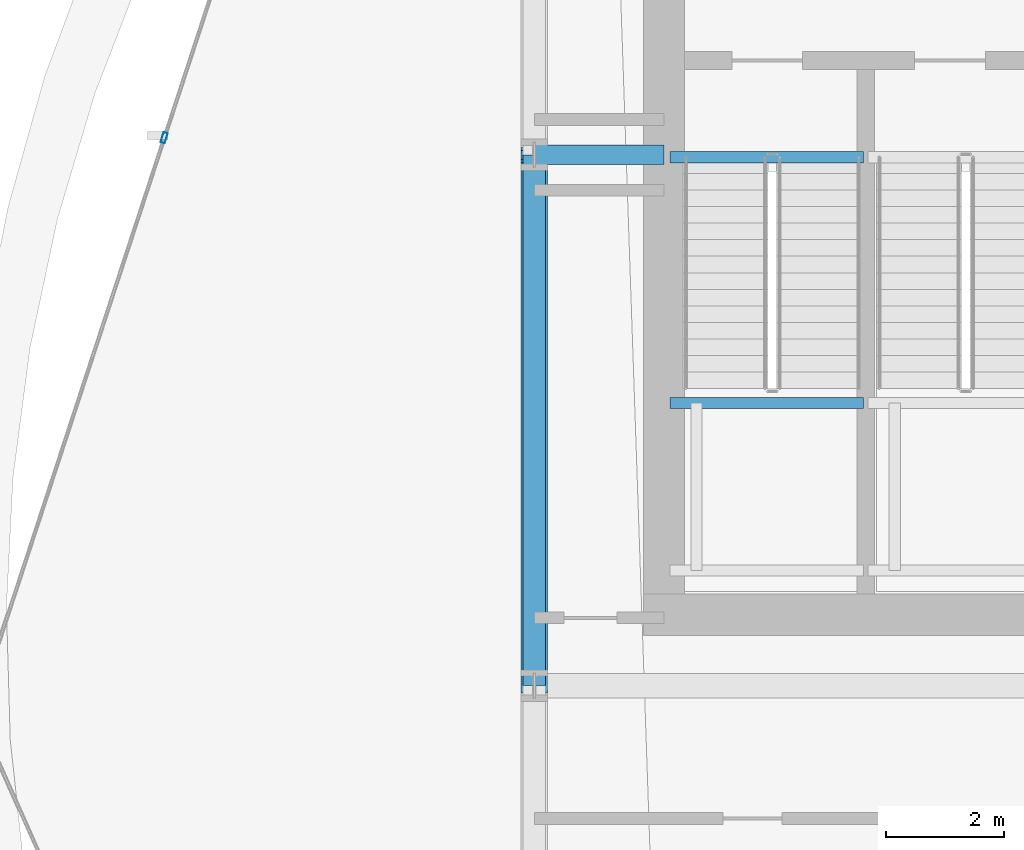
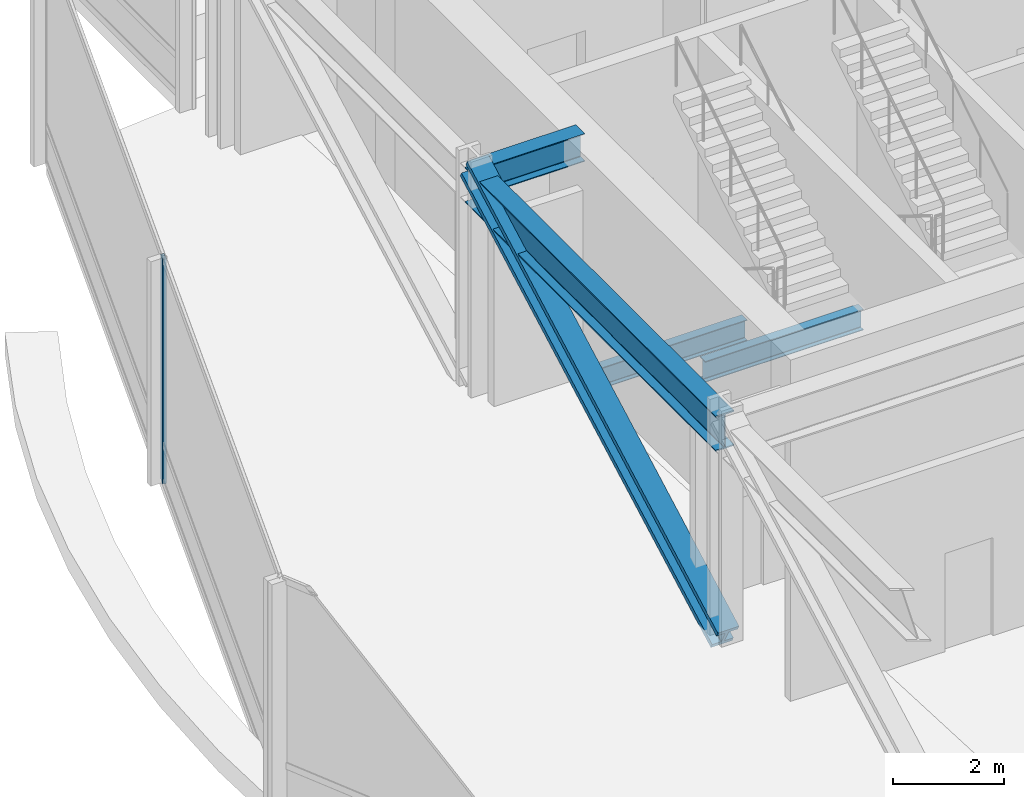
# One storey, part 16 of 37: 4 beams, 2 members, 1 element without a shape of its own.
"""IFC4 building model written with IfcOpenShell, lengths in metres."""

import ifcopenshell
import ifcopenshell.guid

model = None  # the IFC model being written
_history = None  # IfcOwnerHistory: only IFC2X3 demands one
_inside = {}  # id of a spatial element -> (the spatial element, [elements in it])
_under = {}  # id of a project, library or spatial element -> (it, [spatial elements below it])
_declared = {}  # id of a project -> (the project, [libraries it declares])
_typed = {}  # id of a type object -> (the type object, [elements of that type])
_made_of = {}  # id of a material, layer set ... -> (it, [elements and type objects made of it])


def new_model(schema):
    """Start an empty IFC model of exactly this schema.

    Asked for "IFC4X3", IfcOpenShell would pick the latest addendum, in which some entities
    have other attributes; the version numbers below select the first issue.
    IFC2X3 requires an IfcOwnerHistory on every rooted entity: one is made here for all.
    """
    global model, _history
    if schema == "IFC4X3":
        model = ifcopenshell.file(schema_version=(4, 3, 0, 0))
    else:
        model = ifcopenshell.file(schema=schema)
    _inside.clear()
    _under.clear()
    _declared.clear()
    _typed.clear()
    _made_of.clear()
    _history = None
    if model.schema == "IFC2X3":
        org = make("IfcOrganization", Name="unknown")
        user = make(
            "IfcPersonAndOrganization",
            ThePerson=make("IfcPerson", FamilyName="unknown"),
            TheOrganization=org,
        )
        app = make(
            "IfcApplication",
            ApplicationDeveloper=org,
            Version="unknown",
            ApplicationFullName="unknown",
            ApplicationIdentifier="unknown",
        )
        _history = make(
            "IfcOwnerHistory",
            OwningUser=user,
            OwningApplication=app,
            ChangeAction="ADDED",
            CreationDate=0,
        )
    return model


def make(cls, **values):
    """One entity of the class cls with the attributes given. An attribute that is None is left unset."""
    return model.create_entity(
        cls, **{name: value for name, value in values.items() if value is not None}
    )


def rooted(cls, **values):
    """An entity with a GlobalId (a new one), such as an element, a storey or a relation."""
    return make(cls, GlobalId=ifcopenshell.guid.new(), OwnerHistory=_history, **values)


def si_unit(unit_type, name, prefix=None):
    """IfcSIUnit, for example si_unit("LENGTHUNIT", "METRE", prefix="MILLI")."""
    return make("IfcSIUnit", UnitType=unit_type, Prefix=prefix, Name=name)


def assignment(units):
    """IfcUnitAssignment: the units of a project."""
    return None if units is None else make("IfcUnitAssignment", Units=units)


def point(xyz):
    """IfcCartesianPoint."""
    return None if xyz is None else make("IfcCartesianPoint", Coordinates=xyz)


def direction(xyz):
    """IfcDirection."""
    return None if xyz is None else make("IfcDirection", DirectionRatios=xyz)


def frame(location, z_axis=None, x_axis=None):
    """IfcAxis2Placement3D, a coordinate frame: its origin and axes. An axis left out is left unset."""
    return make(
        "IfcAxis2Placement3D",
        Location=point(location),
        Axis=direction(z_axis),
        RefDirection=direction(x_axis),
    )


def frame_2d(location, x_axis=None):
    """IfcAxis2Placement2D, a coordinate frame in the plane: its origin and x axis."""
    return make(
        "IfcAxis2Placement2D", Location=point(location), RefDirection=direction(x_axis)
    )


def origin():
    """The frame at (0, 0, 0) with its axes left unset."""
    return frame((0.0, 0.0, 0.0))


def origin_2d():
    """The frame at (0, 0) in the plane with its x axis left unset."""
    return frame_2d((0.0, 0.0))


def place(relative_to, where):
    """IfcLocalPlacement: puts the frame where relative to a parent placement (None: the world)."""
    return make(
        "IfcLocalPlacement", PlacementRelTo=relative_to, RelativePlacement=where
    )


def context(
    kind, dimensions, precision=None, world=None, true_north=None, identifier=None
):
    """IfcGeometricRepresentationContext, for example the 3D "Model" context."""
    return make(
        "IfcGeometricRepresentationContext",
        ContextIdentifier=identifier,
        ContextType=kind,
        CoordinateSpaceDimension=dimensions,
        Precision=precision,
        WorldCoordinateSystem=world,
        TrueNorth=true_north,
    )


def subcontext(parent, identifier, kind, view, scale=None):
    """IfcGeometricRepresentationSubContext, for example "Body" below "Model"."""
    return make(
        "IfcGeometricRepresentationSubContext",
        ContextIdentifier=identifier,
        ContextType=kind,
        ParentContext=parent,
        TargetScale=scale,
        TargetView=view,
    )


def project(units=None, contexts=None):
    """IfcProject with its units and contexts."""
    return rooted(
        "IfcProject",
        Name="project",
        RepresentationContexts=contexts,
        UnitsInContext=assignment(units),
    )


def spatial(cls, under=None, at=None, **own):
    """A site, building, storey or space (cls), placed at a placement, below another one or the project."""
    s = rooted(cls, ObjectPlacement=at, **own)
    if under is not None:
        _under.setdefault(under.id(), (under, []))[1].append(s)
    return s


def profile(cls, at=None, kind="AREA", **sizes):
    """A parametric profile (cls). Its sizes go by their IFC names, for example OverallWidth=200.0."""
    return make(cls, ProfileType=kind, Position=at, **sizes)


def hollow_rectangle(**sizes):
    """IfcRectangleHollowProfileDef."""
    return profile("IfcRectangleHollowProfileDef", **sizes)


def i_section(**sizes):
    """IfcIShapeProfileDef."""
    return profile("IfcIShapeProfileDef", **sizes)


def extrude(swept, where, along, depth):
    """IfcExtrudedAreaSolid: the profile swept, set in the frame where, extruded along a direction by depth."""
    return make(
        "IfcExtrudedAreaSolid",
        SweptArea=swept,
        Position=where,
        ExtrudedDirection=direction(along),
        Depth=depth,
    )


def shape(context_of_items, identifier, shape_type, items):
    """IfcShapeRepresentation: the items that make up one representation, for example the "Body"."""
    return make(
        "IfcShapeRepresentation",
        ContextOfItems=context_of_items,
        RepresentationIdentifier=identifier,
        RepresentationType=shape_type,
        Items=items,
    )


def material(Name=None, Category=None):
    """IfcMaterial."""
    return make("IfcMaterial", Name=Name, Category=Category)


def layer(
    of_material, thickness, ventilated=None, Name=None, Category=None, Priority=None
):
    """IfcMaterialLayer: one layer of a wall or slab, of a material (None: an air gap)."""
    return make(
        "IfcMaterialLayer",
        Material=of_material,
        LayerThickness=thickness,
        IsVentilated=ventilated,
        Name=Name,
        Category=Category,
        Priority=Priority,
    )


def layer_set(layers, Name=None):
    """IfcMaterialLayerSet."""
    return make("IfcMaterialLayerSet", MaterialLayers=layers, LayerSetName=Name)


def material_profile(
    of_material, cross_section, Name=None, Category=None, Priority=None
):
    """IfcMaterialProfile: a cross section and its material."""
    return make(
        "IfcMaterialProfile",
        Name=Name,
        Material=of_material,
        Profile=cross_section,
        Priority=Priority,
        Category=Category,
    )


def profile_set(profiles, Name=None, composite=None):
    """IfcMaterialProfileSet."""
    return make(
        "IfcMaterialProfileSet",
        Name=Name,
        MaterialProfiles=profiles,
        CompositeProfile=composite,
    )


def made_of(thing, what):
    """Note that an element or type object is made of a material, layer set ...; save() writes the relation."""
    if what is not None:
        _made_of.setdefault(what.id(), (what, []))[1].append(thing)
    return thing


def type_object(cls, material=None, **own):
    """A type object (cls), such as IfcWallType, which elements share."""
    return made_of(rooted(cls, **own), material)


def element(
    cls,
    number,
    at=None,
    inside=None,
    cuts=None,
    type_object=None,
    material=None,
    context=None,
    identifier="Body",
    shape_type=None,
    held_by="IfcProductDefinitionShape",
    body=None,
    shapes=None,
    **own,
):
    """One element of the class cls, such as IfcWall. Its Tag is "e" and its number.

    at: its placement. inside: the storey or other place that contains it. cuts: it is an
    opening in that element (IfcRelVoidsElement). A single representation is given by context,
    identifier, shape_type and body (its items); several are given by shapes. held_by: the class
    of the entity that holds the representations. save() writes the other relations.
    """
    e = rooted(cls, Tag="e%d" % number, ObjectPlacement=at, **own)
    if body is not None:
        shapes = [shape(context, identifier, shape_type, body)]
    if shapes is not None:
        e.Representation = make(held_by, Representations=shapes)
    if inside is not None:
        _inside.setdefault(inside.id(), (inside, []))[1].append(e)
    if cuts is not None:
        rooted(
            "IfcRelVoidsElement", RelatingBuildingElement=cuts, RelatedOpeningElement=e
        )
    if type_object is not None:
        _typed.setdefault(type_object.id(), (type_object, []))[1].append(e)
    return made_of(e, material)


def aggregate(whole, parts):
    """IfcRelAggregates: a whole, such as a stair, and the parts it consists of."""
    return rooted("IfcRelAggregates", RelatingObject=whole, RelatedObjects=parts)


def save(model, path):
    """Write the relations noted so far, then the file.

    IfcRelAggregates (storeys below a building ...), IfcRelContainedInSpatialStructure (elements
    in a storey), IfcRelDefinesByType, IfcRelAssociatesMaterial and IfcRelDeclares: one each for
    every whole, place, type object, material and project.
    """
    for whole, parts in _under.values():
        aggregate(whole, parts)
    for where, things in _inside.values():
        rooted(
            "IfcRelContainedInSpatialStructure",
            RelatedElements=things,
            RelatingStructure=where,
        )
    for kind, things in _typed.values():
        rooted("IfcRelDefinesByType", RelatedObjects=things, RelatingType=kind)
    for what, things in _made_of.values():
        rooted("IfcRelAssociatesMaterial", RelatedObjects=things, RelatingMaterial=what)
    for by, libraries in _declared.values():
        rooted("IfcRelDeclares", RelatingContext=by, RelatedDefinitions=libraries)
    model.write(path)


model = new_model("IFC4")

# Units and contexts
model_context = context("Model", 3, precision=1e-05, world=origin(), true_north=direction((0.0, 1.0)))
body_context = subcontext(model_context, "Body", "Model", "MODEL_VIEW")
ifc_project = project(units=[si_unit("LENGTHUNIT", "METRE"), si_unit("AREAUNIT", "SQUARE_METRE"), si_unit("VOLUMEUNIT", "CUBIC_METRE"), si_unit("PLANEANGLEUNIT", "RADIAN"), si_unit("MASSUNIT", "GRAM", prefix="KILO")], contexts=[model_context])

# Site, building, storey
site_placement = place(None, origin())
site = spatial("IfcSite", under=ifc_project, at=site_placement, CompositionType="ELEMENT")
building_placement = place(site_placement, origin())
building = spatial("IfcBuilding", under=site, at=building_placement, Name="Solvaryn Broadcast Tower", CompositionType="ELEMENT")
storey_placement = place(building_placement, frame((0.0, 0.0, 30.800048828125)))
storey = spatial("IfcBuildingStorey", under=building, at=storey_placement, Name="L06", CompositionType="ELEMENT", Elevation=30.800048828125)

# Beams
ifc_material_1 = material(Name="Steel ASTM A992 Grade 50", Category="steel")
ifc_material_profile_1 = material_profile(ifc_material_1, i_section(OverallWidth=0.323974609375, OverallDepth=0.611083984375, WebThickness=0.0126953125, FlangeThickness=0.01904296875, FilletRadius=0.014892578125, at=origin_2d()))
ifc_profile_set_1 = profile_set([ifc_material_profile_1], Name="Steel ASTM A992 Grade 50")
beam_type_1 = type_object("IfcBeamType", Name="BM-B1-W24X104", PredefinedType="BEAM", material=ifc_profile_set_1)
beam_1_placement = place(storey_placement, frame((9.0, 36.0, 4.614501953125), z_axis=(1.0, 0.0, 0.0), x_axis=(0.0, 1.0, 0.0)))
element("IfcBeam", 1, at=beam_1_placement, inside=storey, type_object=beam_type_1, Name="L06 Core Tie Beam CTW1", PredefinedType="BEAM", context=body_context, shape_type="SweptSolid", body=[
    extrude(i_section(OverallWidth=0.323974609375, OverallDepth=0.611083984375, WebThickness=0.0126953125, FlangeThickness=0.01904296875, FilletRadius=0.014892578125, at=origin_2d()), origin(), (0.0, 0.0, 1.0), 2.199951171875),
])
ifc_material_2 = material(Name="Steel ASTM A992 Grade 50", Category="steel")
ifc_material_profile_2 = material_profile(ifc_material_2, i_section(OverallWidth=0.18994140625, OverallDepth=0.45703125, WebThickness=0.009033203125, FlangeThickness=0.014404296875, FilletRadius=0.011962890625, at=origin_2d()))
ifc_profile_set_2 = profile_set([ifc_material_profile_2], Name="Steel ASTM A992 Grade 50")
beam_type_2 = type_object("IfcBeamType", Name="BM-B4-W18X50", PredefinedType="BEAM", material=ifc_profile_set_2)
for number, where, z_axis, x_axis, name in (
    (2, (11.300048828125, 35.9599609375, -0.588623046875), (1.0, 0.0, 0.0), (0.0, 1.0, 0.0), "L06 ST1 Stair Well Trimmer Beam"),
    (3, (11.300048828125, 31.7900390625, 2.17138671875), (1.0, 0.0, 0.0), (0.0, 1.0, 0.0), "L06 ST1 Landing Support Beam 1B"),
):
    element("IfcBeam", number, at=place(storey_placement, frame(where, z_axis=z_axis, x_axis=x_axis)), inside=storey, type_object=beam_type_2, Name=name, PredefinedType="BEAM", context=body_context, shape_type="SweptSolid", body=[
        extrude(i_section(OverallWidth=0.18994140625, OverallDepth=0.45703125, WebThickness=0.009033203125, FlangeThickness=0.014404296875, FilletRadius=0.011962890625, at=origin_2d()), origin(), (0.0, 0.0, 1.0), 3.280029296875),
    ])
ifc_material_3 = material(Name="Steel ASTM A992 Grade 50", Category="steel")
ifc_material_profile_3 = material_profile(ifc_material_3, i_section(OverallWidth=0.381103515625, OverallDepth=0.77294921875, WebThickness=0.0166015625, FlangeThickness=0.027099609375, FilletRadius=0.01806640625, at=origin_2d()))
ifc_profile_set_3 = profile_set([ifc_material_profile_3], Name="Steel ASTM A992 Grade 50")
beam_type_3 = type_object("IfcBeamType", Name="BM-SP1-W30X173", PredefinedType="USERDEFINED", material=ifc_profile_set_3)
beam_2_placement = place(storey_placement, frame((9.0, 27.0, 4.533447265625), z_axis=(0.0, 1.0, 0.0), x_axis=(-1.0, 0.0, 0.0)))
element("IfcBeam", 4, at=beam_2_placement, inside=storey, type_object=beam_type_3, Name="L06 Spandrel Beam Y (27-36 @ X=9)", ObjectType="SPANDREL", PredefinedType="USERDEFINED", context=body_context, shape_type="SweptSolid", body=[
    extrude(i_section(OverallWidth=0.381103515625, OverallDepth=0.77294921875, WebThickness=0.0166015625, FlangeThickness=0.027099609375, FilletRadius=0.01806640625, at=origin_2d()), origin(), (0.0, 0.0, 1.0), 9.0),
])

# Curtain wall, member
ifc_material_4 = material(Name="Aluminium and Terracotta Unitised Curtain Wall", Category="masonry")
ifc_layer = layer(ifc_material_4, 0.199951171875)
ifc_layer_set = layer_set([ifc_layer], Name="CW-SYS2-LOWMID")
curtain_wall_type = type_object("IfcCurtainWallType", Name="CW-SYS2-LOWMID", PredefinedType="NOTDEFINED", material=ifc_layer_set)
curtain_wall_placement = place(storey_placement, origin())
curtain_wall = element("IfcCurtainWall", 5, at=curtain_wall_placement, inside=storey, type_object=curtain_wall_type, Name="L06 Curtain Wall DR1", PredefinedType="NOTDEFINED")
ifc_material_5 = material(Name="Anodised Aluminium 6063-T6", Category="aluminium")
ifc_material_profile_4 = material_profile(ifc_material_5, hollow_rectangle(XDim=0.074951171875, YDim=0.179931640625, WallThickness=0.00390625, InnerFilletRadius=0.00390625, OuterFilletRadius=0.008056640625, at=origin_2d()))
ifc_profile_set_4 = profile_set([ifc_material_profile_4], Name="Anodised Aluminium 6063-T6")
member_type_1 = type_object("IfcMemberType", Name="CW-MUL-180", PredefinedType="MULLION", material=ifc_profile_set_4)
member_1_placement = place(storey_placement, frame((2.72607421875, 36.2880859375, 0.0), z_axis=(0.0, 0.0, 1.0), x_axis=(0.950215318429, -0.311594044587, 0.0)))
member_1 = element("IfcMember", 6, at=member_1_placement, type_object=member_type_1, Name="CWS2 mullion 2", PredefinedType="MULLION", context=body_context, shape_type="SweptSolid", body=[
    extrude(hollow_rectangle(XDim=0.074951171875, YDim=0.179931640625, WallThickness=0.00390625, InnerFilletRadius=0.00390625, OuterFilletRadius=0.008056640625, at=origin_2d()), origin(), (0.0, 0.0, 1.0), 4.919921875),
])
aggregate(curtain_wall, [member_1])

# Member
ifc_material_6 = material(Name="Steel ASTM A913 Grade 65", Category="steel")
ifc_material_profile_5 = material_profile(ifc_material_6, i_section(OverallWidth=0.44189453125, OverallDepth=0.531005859375, WebThickness=0.06591796875, FlangeThickness=0.105712890625, FilletRadius=0.014892578125, at=origin_2d()))
ifc_profile_set_5 = profile_set([ifc_material_profile_5], Name="Steel ASTM A913 Grade 65")
member_type_2 = type_object("IfcMemberType", Name="MB-TRUSS-CHORD", PredefinedType="CHORD", material=ifc_profile_set_5)
member_2_placement = place(storey_placement, frame((9.0, 27.0, 0.02001953125), z_axis=(0.0, 0.879092151416, 0.476651853367), x_axis=(-1.0, 0.0, 0.0)))
element("IfcMember", 7, at=member_2_placement, inside=storey, type_object=member_type_2, Name="L06 Transfer Belt Chord 11", PredefinedType="CHORD", context=body_context, shape_type="SweptSolid", body=[
    extrude(i_section(OverallWidth=0.44189453125, OverallDepth=0.531005859375, WebThickness=0.06591796875, FlangeThickness=0.105712890625, FilletRadius=0.014892578125, at=origin_2d()), origin(), (0.0, 0.0, 1.0), 10.23779296875),
])

save(model, "model.ifc")
